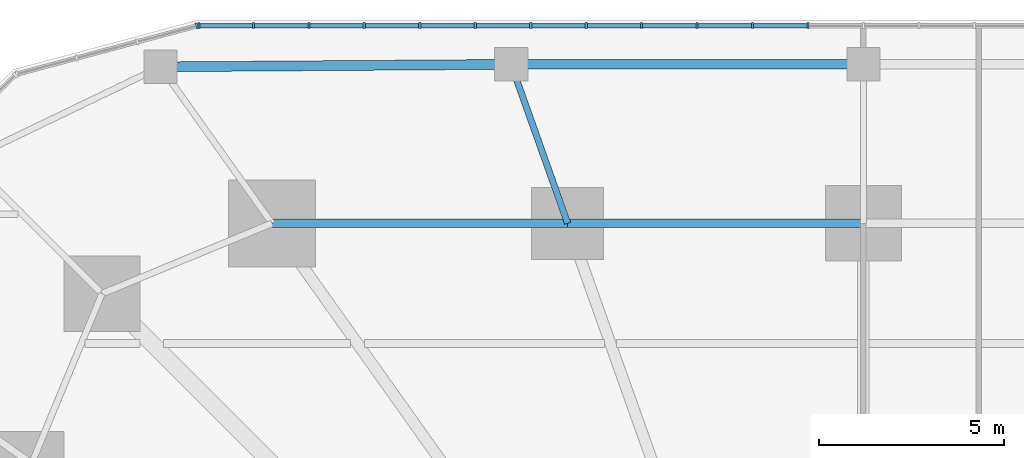
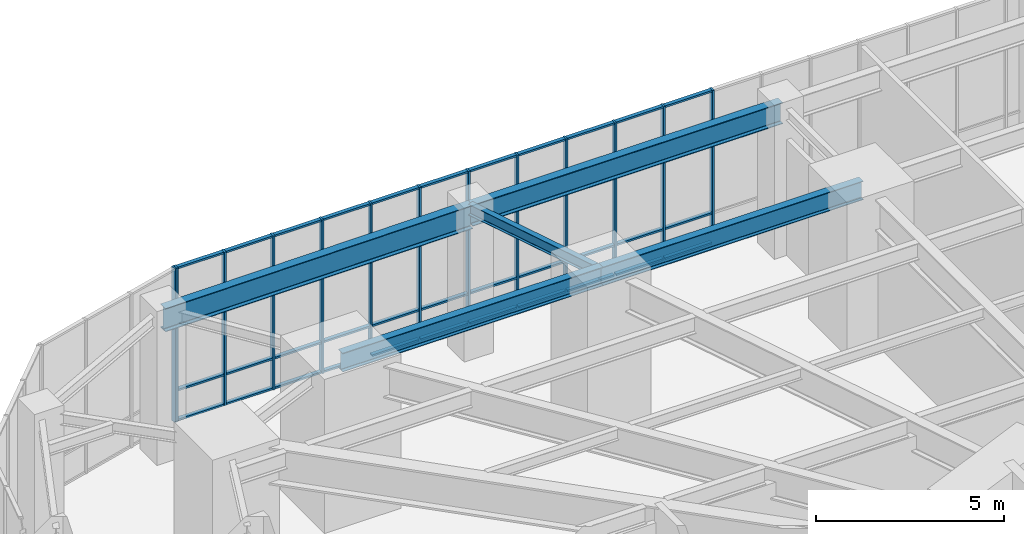
# One storey, part 12 of 24: 46 members, 5 beams, 2 elements without a shape of their own.
"""IFC4 building model written with IfcOpenShell, lengths in metres."""

from ifc_helpers import new_model, si_unit, direction, frame, origin, origin_2d, place, context, subcontext, project, spatial, rectangle, i_section, extrude, material, material_profile, profile_set, type_object, element, aggregate, save


model = new_model("IFC4")

# Units and contexts
model_context = context("Model", 3, precision=1e-05, world=origin(), true_north=direction((0.0, 1.0)))
body_context = subcontext(model_context, "Body", "Model", "MODEL_VIEW")
ifc_project = project(units=[si_unit("LENGTHUNIT", "METRE"), si_unit("AREAUNIT", "SQUARE_METRE"), si_unit("VOLUMEUNIT", "CUBIC_METRE"), si_unit("PLANEANGLEUNIT", "RADIAN"), si_unit("MASSUNIT", "GRAM", prefix="KILO")], contexts=[model_context])

# Site, building, storey
site_placement = place(None, origin())
site = spatial("IfcSite", under=ifc_project, at=site_placement, CompositionType="ELEMENT")
building_placement = place(site_placement, origin())
building = spatial("IfcBuilding", under=site, at=building_placement, Name="Nakasero Lantern House", CompositionType="ELEMENT")
storey_placement = place(building_placement, frame((0.0, 0.0, 11.0)))
storey = spatial("IfcBuildingStorey", under=building, at=storey_placement, Name="L02", CompositionType="ELEMENT", Elevation=11.0)

# Curtain wall, members
ifc_material_1 = material(Name="Aluminium 6063-T6 and glass", Category="aluminium")
curtain_wall_type = type_object("IfcCurtainWallType", Name="Podium curtain wall CW-2", PredefinedType="USERDEFINED", material=ifc_material_1)
curtain_wall_1_placement = place(storey_placement, origin())
curtain_wall_1 = element("IfcCurtainWall", 1, at=curtain_wall_1_placement, inside=storey, type_object=curtain_wall_type, Name="Curtain wall CW-2 L02", ObjectType="STICK CURTAIN WALL", PredefinedType="USERDEFINED")
ifc_material_2 = material(Name="Aluminium 6063-T6", Category="aluminium")
ifc_material_profile_1 = material_profile(ifc_material_2, rectangle(XDim=0.06005859375, YDim=0.159912109375, at=origin_2d()), Name="CW-2 mullion 60x160")
ifc_profile_set_1 = profile_set([ifc_material_profile_1], Name="Aluminium 6063-T6")
member_type_1 = type_object("IfcMemberType", Name="Mullion CW-2", PredefinedType="MULLION", material=ifc_profile_set_1)
member_1_placement = place(storey_placement, frame((-1.5, 27.85009765625, 0.0), z_axis=(0.0, 0.0, 1.0), x_axis=(-1.0, 0.0, 0.0)))
member_1 = element("IfcMember", 2, at=member_1_placement, type_object=member_type_1, Name="CW-2 mullion 14", PredefinedType="MULLION", context=body_context, shape_type="SweptSolid", body=[
    extrude(rectangle(XDim=0.06005859375, YDim=0.159912109375, at=origin_2d()), origin(), (0.0, 0.0, 1.0), 5.0),
])
member_2_placement = place(storey_placement, frame((-3.0, 27.85009765625, 0.0), z_axis=(0.0, 0.0, 1.0), x_axis=(-1.0, 0.0, 0.0)))
member_2 = element("IfcMember", 3, at=member_2_placement, type_object=member_type_1, Name="CW-2 mullion 15", PredefinedType="MULLION", context=body_context, shape_type="SweptSolid", body=[
    extrude(rectangle(XDim=0.06005859375, YDim=0.159912109375, at=origin_2d()), origin(), (0.0, 0.0, 1.0), 5.0),
])
member_3_placement = place(storey_placement, frame((-4.5, 27.85009765625, 0.0), z_axis=(0.0, 0.0, 1.0), x_axis=(-1.0, 0.0, 0.0)))
member_3 = element("IfcMember", 4, at=member_3_placement, type_object=member_type_1, Name="CW-2 mullion 16", PredefinedType="MULLION", context=body_context, shape_type="SweptSolid", body=[
    extrude(rectangle(XDim=0.06005859375, YDim=0.159912109375, at=origin_2d()), origin(), (0.0, 0.0, 1.0), 5.0),
])
member_4_placement = place(storey_placement, frame((-6.0, 27.85009765625, 0.0), z_axis=(0.0, 0.0, 1.0), x_axis=(-1.0, 0.0, 0.0)))
member_4 = element("IfcMember", 5, at=member_4_placement, type_object=member_type_1, Name="CW-2 mullion 17", PredefinedType="MULLION", context=body_context, shape_type="SweptSolid", body=[
    extrude(rectangle(XDim=0.06005859375, YDim=0.159912109375, at=origin_2d()), origin(), (0.0, 0.0, 1.0), 5.0),
])
member_5_placement = place(storey_placement, frame((-7.5, 27.85009765625, 0.0), z_axis=(0.0, 0.0, 1.0), x_axis=(-1.0, 0.0, 0.0)))
member_5 = element("IfcMember", 6, at=member_5_placement, type_object=member_type_1, Name="CW-2 mullion 18", PredefinedType="MULLION", context=body_context, shape_type="SweptSolid", body=[
    extrude(rectangle(XDim=0.06005859375, YDim=0.159912109375, at=origin_2d()), origin(), (0.0, 0.0, 1.0), 5.0),
])
member_6_placement = place(storey_placement, frame((-9.0, 27.85009765625, 0.0), z_axis=(0.0, 0.0, 1.0), x_axis=(-1.0, 0.0, 0.0)))
member_6 = element("IfcMember", 7, at=member_6_placement, type_object=member_type_1, Name="CW-2 mullion 19", PredefinedType="MULLION", context=body_context, shape_type="SweptSolid", body=[
    extrude(rectangle(XDim=0.06005859375, YDim=0.159912109375, at=origin_2d()), origin(), (0.0, 0.0, 1.0), 5.0),
])
member_7_placement = place(storey_placement, frame((-10.5, 27.85009765625, 0.0), z_axis=(0.0, 0.0, 1.0), x_axis=(-1.0, 0.0, 0.0)))
member_7 = element("IfcMember", 8, at=member_7_placement, type_object=member_type_1, Name="CW-2 mullion 20", PredefinedType="MULLION", context=body_context, shape_type="SweptSolid", body=[
    extrude(rectangle(XDim=0.06005859375, YDim=0.159912109375, at=origin_2d()), origin(), (0.0, 0.0, 1.0), 5.0),
])
member_8_placement = place(storey_placement, frame((-12.0, 27.85009765625, 0.0), z_axis=(0.0, 0.0, 1.0), x_axis=(-1.0, 0.0, 0.0)))
member_8 = element("IfcMember", 9, at=member_8_placement, type_object=member_type_1, Name="CW-2 mullion 21", PredefinedType="MULLION", context=body_context, shape_type="SweptSolid", body=[
    extrude(rectangle(XDim=0.06005859375, YDim=0.159912109375, at=origin_2d()), origin(), (0.0, 0.0, 1.0), 5.0),
])
member_9_placement = place(storey_placement, frame((-13.5, 27.85009765625, 0.0), z_axis=(0.0, 0.0, 1.0), x_axis=(-1.0, 0.0, 0.0)))
member_9 = element("IfcMember", 10, at=member_9_placement, type_object=member_type_1, Name="CW-2 mullion 22", PredefinedType="MULLION", context=body_context, shape_type="SweptSolid", body=[
    extrude(rectangle(XDim=0.06005859375, YDim=0.159912109375, at=origin_2d()), origin(), (0.0, 0.0, 1.0), 5.0),
])
member_10_placement = place(storey_placement, frame((-15.0, 27.85009765625, 0.0), z_axis=(0.0, 0.0, 1.0), x_axis=(-1.0, 0.0, 0.0)))
member_10 = element("IfcMember", 11, at=member_10_placement, type_object=member_type_1, Name="CW-2 mullion 23", PredefinedType="MULLION", context=body_context, shape_type="SweptSolid", body=[
    extrude(rectangle(XDim=0.06005859375, YDim=0.159912109375, at=origin_2d()), origin(), (0.0, 0.0, 1.0), 5.0),
])
member_11_placement = place(storey_placement, frame((-16.5, 27.85009765625, 0.0), z_axis=(0.0, 0.0, 1.0), x_axis=(-1.0, 0.0, 0.0)))
member_11 = element("IfcMember", 12, at=member_11_placement, type_object=member_type_1, Name="CW-2 mullion 24", PredefinedType="MULLION", context=body_context, shape_type="SweptSolid", body=[
    extrude(rectangle(XDim=0.06005859375, YDim=0.159912109375, at=origin_2d()), origin(), (0.0, 0.0, 1.0), 5.0),
])
member_12_placement = place(storey_placement, frame((-17.969970703125, 27.85009765625, 0.0), z_axis=(0.0, 0.0, 1.0), x_axis=(-1.0, 0.0, 0.0)))
member_12 = element("IfcMember", 13, at=member_12_placement, type_object=member_type_1, Name="CW-2 mullion 25", PredefinedType="MULLION", context=body_context, shape_type="SweptSolid", body=[
    extrude(rectangle(XDim=0.06005859375, YDim=0.159912109375, at=origin_2d()), origin(), (0.0, 0.0, 1.0), 5.0),
])

# Curtain wall, member
curtain_wall_2_placement = place(storey_placement, origin())
curtain_wall_2 = element("IfcCurtainWall", 14, at=curtain_wall_2_placement, inside=storey, type_object=curtain_wall_type, Name="Curtain wall CW-2 L02", ObjectType="STICK CURTAIN WALL", PredefinedType="USERDEFINED")
member_13_placement = place(storey_placement, frame((-18.029052734375, 27.84228515625, 0.0), z_axis=(0.0, 0.0, 1.0), x_axis=(-0.965925826289, -0.258819045103, 0.0)))
member_13 = element("IfcMember", 15, at=member_13_placement, type_object=member_type_1, Name="CW-2 mullion 1", PredefinedType="MULLION", context=body_context, shape_type="SweptSolid", body=[
    extrude(rectangle(XDim=0.06005859375, YDim=0.159912109375, at=origin_2d()), origin(), (0.0, 0.0, 1.0), 5.0),
])
aggregate(curtain_wall_2, [member_13])

# Beams
ifc_material_3 = material(Name="Steel S355", Category="steel")
ifc_material_profile_2 = material_profile(ifc_material_3, i_section(OverallWidth=0.17138671875, OverallDepth=0.35498046875, WebThickness=0.00732421875, FlangeThickness=0.011474609375, FilletRadius=0.01025390625, at=origin_2d()), Name="UB 356x171x51")
ifc_profile_set_2 = profile_set([ifc_material_profile_2], Name="Steel S355")
beam_type_1 = type_object("IfcBeamType", Name="Primary beam UB 356x171x51, span to 6 m", PredefinedType="BEAM", material=ifc_profile_set_2)
beam_1_placement = place(storey_placement, frame((-9.52880859375, 26.800048828125, 4.572509765625), z_axis=(0.334990670833, -0.942221444489, 0.0), x_axis=(0.942221444489, 0.334990670833, 0.0)))
element("IfcBeam", 16, at=beam_1_placement, inside=storey, type_object=beam_type_1, Name="Primary beam L03 POD-C10", PredefinedType="BEAM", context=body_context, shape_type="SweptSolid", body=[
    extrude(i_section(OverallWidth=0.17138671875, OverallDepth=0.35498046875, WebThickness=0.00732421875, FlangeThickness=0.011474609375, FilletRadius=0.01025390625, at=origin_2d()), origin(), (0.0, 0.0, 1.0), 4.563720703125),
])
ifc_material_4 = material(Name="Steel S355", Category="steel")
ifc_material_profile_3 = material_profile(ifc_material_4, i_section(OverallWidth=0.22900390625, OverallDepth=0.6123046875, WebThickness=0.011962890625, FlangeThickness=0.01953125, FilletRadius=0.0126953125, at=origin_2d()), Name="UB 610x229x125")
ifc_profile_set_3 = profile_set([ifc_material_profile_3], Name="Steel S355")
beam_type_2 = type_object("IfcBeamType", Name="Ring beam UB 610x229x125", PredefinedType="BEAM", material=ifc_profile_set_3)
for number, where, z_axis, x_axis, name in (
    (17, (0.0, 22.5, 4.493896484375), (-1.0, 0.0, 0.0), (0.0, -1.0, 0.0), "Ring beam L03 B1-C09"),
    (18, (-8.0, 22.5, 4.493896484375), (-1.0, 0.0, 0.0), (0.0, -1.0, 0.0), "Ring beam L03 B1-C10"),
):
    element("IfcBeam", number, at=place(storey_placement, frame(where, z_axis=z_axis, x_axis=x_axis)), inside=storey, type_object=beam_type_2, Name=name, PredefinedType="BEAM", context=body_context, shape_type="SweptSolid", body=[
        extrude(i_section(OverallWidth=0.22900390625, OverallDepth=0.6123046875, WebThickness=0.011962890625, FlangeThickness=0.01953125, FilletRadius=0.0126953125, at=origin_2d()), origin(), (0.0, 0.0, 1.0), 8.0),
    ])
ifc_material_5 = material(Name="Steel S355", Category="steel")
ifc_material_profile_4 = material_profile(ifc_material_5, i_section(OverallWidth=0.255859375, OverallDepth=0.69287109375, WebThickness=0.014404296875, FlangeThickness=0.023681640625, FilletRadius=0.01513671875, at=origin_2d()), Name="UB 686x254x170")
ifc_profile_set_4 = profile_set([ifc_material_profile_4], Name="Steel S355")
beam_type_3 = type_object("IfcBeamType", Name="Ring beam UB 686x254x170", PredefinedType="BEAM", material=ifc_profile_set_4)
beam_2_placement = place(storey_placement, frame((0.0, 26.800048828125, 4.403564453125), z_axis=(-1.0, 0.0, 0.0), x_axis=(0.0, -1.0, 0.0)))
element("IfcBeam", 19, at=beam_2_placement, inside=storey, type_object=beam_type_3, Name="Ring beam L03 POD-C09", PredefinedType="BEAM", context=body_context, shape_type="SweptSolid", body=[
    extrude(i_section(OverallWidth=0.255859375, OverallDepth=0.69287109375, WebThickness=0.014404296875, FlangeThickness=0.023681640625, FilletRadius=0.01513671875, at=origin_2d()), origin(), (0.0, 0.0, 1.0), 9.52880859375),
])
ifc_material_6 = material(Name="Steel S355", Category="steel")
ifc_material_profile_5 = material_profile(ifc_material_6, i_section(OverallWidth=0.2666015625, OverallDepth=0.76220703125, WebThickness=0.014404296875, FlangeThickness=0.021484375, FilletRadius=0.0166015625, at=origin_2d()), Name="UB 762x267x173")
ifc_profile_set_5 = profile_set([ifc_material_profile_5], Name="Steel S355")
beam_type_4 = type_object("IfcBeamType", Name="Ring beam UB 762x267x173", PredefinedType="BEAM", material=ifc_profile_set_5)
beam_3_placement = place(storey_placement, frame((-9.52880859375, 26.800048828125, 4.368896484375), z_axis=(-0.999975476745, -0.007003278482, 0.0), x_axis=(0.007003278482, -0.999975476745, 0.0)))
element("IfcBeam", 20, at=beam_3_placement, inside=storey, type_object=beam_type_4, Name="Ring beam L03 POD-C10", PredefinedType="BEAM", context=body_context, shape_type="SweptSolid", body=[
    extrude(i_section(OverallWidth=0.2666015625, OverallDepth=0.76220703125, WebThickness=0.014404296875, FlangeThickness=0.021484375, FilletRadius=0.0166015625, at=origin_2d()), origin(), (0.0, 0.0, 1.0), 9.482177734375),
])

# Member
ifc_material_7 = material(Name="Aluminium 6063-T6", Category="aluminium")
ifc_material_profile_6 = material_profile(ifc_material_7, rectangle(XDim=0.06005859375, YDim=0.1201171875, at=origin_2d()), Name="CW-2 transom 60x120")
ifc_profile_set_6 = profile_set([ifc_material_profile_6], Name="Aluminium 6063-T6")
member_type_2 = type_object("IfcMemberType", Name="Transom CW-2", PredefinedType="USERDEFINED", material=ifc_profile_set_6)
member_14_placement = place(storey_placement, frame((-1.530029296875, 27.85009765625, 0.030029296875), z_axis=(-1.0, 0.0, 0.0), x_axis=(0.0, 0.0, 1.0)))
member_14 = element("IfcMember", 21, at=member_14_placement, type_object=member_type_2, Name="CW-2 transom 14.1", ObjectType="TRANSOM", PredefinedType="USERDEFINED", context=body_context, shape_type="SweptSolid", body=[
    extrude(rectangle(XDim=0.06005859375, YDim=0.1201171875, at=origin_2d()), origin(), (0.0, 0.0, 1.0), 1.43994140625),
])

member_15_placement = place(storey_placement, frame((-1.530029296875, 27.85009765625, 1.0), z_axis=(-1.0, 0.0, 0.0), x_axis=(0.0, 0.0, 1.0)))
member_15 = element("IfcMember", 22, at=member_15_placement, type_object=member_type_2, Name="CW-2 transom 14.2", ObjectType="TRANSOM", PredefinedType="USERDEFINED", context=body_context, shape_type="SweptSolid", body=[
    extrude(rectangle(XDim=0.06005859375, YDim=0.1201171875, at=origin_2d()), origin(), (0.0, 0.0, 1.0), 1.43994140625),
])

member_16_placement = place(storey_placement, frame((-1.530029296875, 27.85009765625, 4.969970703125), z_axis=(-1.0, 0.0, 0.0), x_axis=(0.0, 0.0, 1.0)))
member_16 = element("IfcMember", 23, at=member_16_placement, type_object=member_type_2, Name="CW-2 transom 14.3", ObjectType="TRANSOM", PredefinedType="USERDEFINED", context=body_context, shape_type="SweptSolid", body=[
    extrude(rectangle(XDim=0.06005859375, YDim=0.1201171875, at=origin_2d()), origin(), (0.0, 0.0, 1.0), 1.43994140625),
])

member_17_placement = place(storey_placement, frame((-3.030029296875, 27.85009765625, 0.030029296875), z_axis=(-1.0, 0.0, 0.0), x_axis=(0.0, 0.0, 1.0)))
member_17 = element("IfcMember", 24, at=member_17_placement, type_object=member_type_2, Name="CW-2 transom 15.1", ObjectType="TRANSOM", PredefinedType="USERDEFINED", context=body_context, shape_type="SweptSolid", body=[
    extrude(rectangle(XDim=0.06005859375, YDim=0.1201171875, at=origin_2d()), origin(), (0.0, 0.0, 1.0), 1.43994140625),
])

member_18_placement = place(storey_placement, frame((-3.030029296875, 27.85009765625, 1.0), z_axis=(-1.0, 0.0, 0.0), x_axis=(0.0, 0.0, 1.0)))
member_18 = element("IfcMember", 25, at=member_18_placement, type_object=member_type_2, Name="CW-2 transom 15.2", ObjectType="TRANSOM", PredefinedType="USERDEFINED", context=body_context, shape_type="SweptSolid", body=[
    extrude(rectangle(XDim=0.06005859375, YDim=0.1201171875, at=origin_2d()), origin(), (0.0, 0.0, 1.0), 1.43994140625),
])

member_19_placement = place(storey_placement, frame((-3.030029296875, 27.85009765625, 4.969970703125), z_axis=(-1.0, 0.0, 0.0), x_axis=(0.0, 0.0, 1.0)))
member_19 = element("IfcMember", 26, at=member_19_placement, type_object=member_type_2, Name="CW-2 transom 15.3", ObjectType="TRANSOM", PredefinedType="USERDEFINED", context=body_context, shape_type="SweptSolid", body=[
    extrude(rectangle(XDim=0.06005859375, YDim=0.1201171875, at=origin_2d()), origin(), (0.0, 0.0, 1.0), 1.43994140625),
])

member_20_placement = place(storey_placement, frame((-4.530029296875, 27.85009765625, 0.030029296875), z_axis=(-1.0, 0.0, 0.0), x_axis=(0.0, 0.0, 1.0)))
member_20 = element("IfcMember", 27, at=member_20_placement, type_object=member_type_2, Name="CW-2 transom 16.1", ObjectType="TRANSOM", PredefinedType="USERDEFINED", context=body_context, shape_type="SweptSolid", body=[
    extrude(rectangle(XDim=0.06005859375, YDim=0.1201171875, at=origin_2d()), origin(), (0.0, 0.0, 1.0), 1.43994140625),
])

member_21_placement = place(storey_placement, frame((-4.530029296875, 27.85009765625, 1.0), z_axis=(-1.0, 0.0, 0.0), x_axis=(0.0, 0.0, 1.0)))
member_21 = element("IfcMember", 28, at=member_21_placement, type_object=member_type_2, Name="CW-2 transom 16.2", ObjectType="TRANSOM", PredefinedType="USERDEFINED", context=body_context, shape_type="SweptSolid", body=[
    extrude(rectangle(XDim=0.06005859375, YDim=0.1201171875, at=origin_2d()), origin(), (0.0, 0.0, 1.0), 1.43994140625),
])

member_22_placement = place(storey_placement, frame((-4.530029296875, 27.85009765625, 4.969970703125), z_axis=(-1.0, 0.0, 0.0), x_axis=(0.0, 0.0, 1.0)))
member_22 = element("IfcMember", 29, at=member_22_placement, type_object=member_type_2, Name="CW-2 transom 16.3", ObjectType="TRANSOM", PredefinedType="USERDEFINED", context=body_context, shape_type="SweptSolid", body=[
    extrude(rectangle(XDim=0.06005859375, YDim=0.1201171875, at=origin_2d()), origin(), (0.0, 0.0, 1.0), 1.43994140625),
])

member_23_placement = place(storey_placement, frame((-6.030029296875, 27.85009765625, 0.030029296875), z_axis=(-1.0, 0.0, 0.0), x_axis=(0.0, 0.0, 1.0)))
member_23 = element("IfcMember", 30, at=member_23_placement, type_object=member_type_2, Name="CW-2 transom 17.1", ObjectType="TRANSOM", PredefinedType="USERDEFINED", context=body_context, shape_type="SweptSolid", body=[
    extrude(rectangle(XDim=0.06005859375, YDim=0.1201171875, at=origin_2d()), origin(), (0.0, 0.0, 1.0), 1.43994140625),
])

member_24_placement = place(storey_placement, frame((-6.030029296875, 27.85009765625, 1.0), z_axis=(-1.0, 0.0, 0.0), x_axis=(0.0, 0.0, 1.0)))
member_24 = element("IfcMember", 31, at=member_24_placement, type_object=member_type_2, Name="CW-2 transom 17.2", ObjectType="TRANSOM", PredefinedType="USERDEFINED", context=body_context, shape_type="SweptSolid", body=[
    extrude(rectangle(XDim=0.06005859375, YDim=0.1201171875, at=origin_2d()), origin(), (0.0, 0.0, 1.0), 1.43994140625),
])

member_25_placement = place(storey_placement, frame((-6.030029296875, 27.85009765625, 4.969970703125), z_axis=(-1.0, 0.0, 0.0), x_axis=(0.0, 0.0, 1.0)))
member_25 = element("IfcMember", 32, at=member_25_placement, type_object=member_type_2, Name="CW-2 transom 17.3", ObjectType="TRANSOM", PredefinedType="USERDEFINED", context=body_context, shape_type="SweptSolid", body=[
    extrude(rectangle(XDim=0.06005859375, YDim=0.1201171875, at=origin_2d()), origin(), (0.0, 0.0, 1.0), 1.43994140625),
])

member_26_placement = place(storey_placement, frame((-7.530029296875, 27.85009765625, 0.030029296875), z_axis=(-1.0, 0.0, 0.0), x_axis=(0.0, 0.0, 1.0)))
member_26 = element("IfcMember", 33, at=member_26_placement, type_object=member_type_2, Name="CW-2 transom 18.1", ObjectType="TRANSOM", PredefinedType="USERDEFINED", context=body_context, shape_type="SweptSolid", body=[
    extrude(rectangle(XDim=0.06005859375, YDim=0.1201171875, at=origin_2d()), origin(), (0.0, 0.0, 1.0), 1.43994140625),
])

member_27_placement = place(storey_placement, frame((-7.530029296875, 27.85009765625, 1.0), z_axis=(-1.0, 0.0, 0.0), x_axis=(0.0, 0.0, 1.0)))
member_27 = element("IfcMember", 34, at=member_27_placement, type_object=member_type_2, Name="CW-2 transom 18.2", ObjectType="TRANSOM", PredefinedType="USERDEFINED", context=body_context, shape_type="SweptSolid", body=[
    extrude(rectangle(XDim=0.06005859375, YDim=0.1201171875, at=origin_2d()), origin(), (0.0, 0.0, 1.0), 1.43994140625),
])

member_28_placement = place(storey_placement, frame((-7.530029296875, 27.85009765625, 4.969970703125), z_axis=(-1.0, 0.0, 0.0), x_axis=(0.0, 0.0, 1.0)))
member_28 = element("IfcMember", 35, at=member_28_placement, type_object=member_type_2, Name="CW-2 transom 18.3", ObjectType="TRANSOM", PredefinedType="USERDEFINED", context=body_context, shape_type="SweptSolid", body=[
    extrude(rectangle(XDim=0.06005859375, YDim=0.1201171875, at=origin_2d()), origin(), (0.0, 0.0, 1.0), 1.43994140625),
])

member_29_placement = place(storey_placement, frame((-9.030029296875, 27.85009765625, 0.030029296875), z_axis=(-1.0, 0.0, 0.0), x_axis=(0.0, 0.0, 1.0)))
member_29 = element("IfcMember", 36, at=member_29_placement, type_object=member_type_2, Name="CW-2 transom 19.1", ObjectType="TRANSOM", PredefinedType="USERDEFINED", context=body_context, shape_type="SweptSolid", body=[
    extrude(rectangle(XDim=0.06005859375, YDim=0.1201171875, at=origin_2d()), origin(), (0.0, 0.0, 1.0), 1.43994140625),
])

member_30_placement = place(storey_placement, frame((-9.030029296875, 27.85009765625, 1.0), z_axis=(-1.0, 0.0, 0.0), x_axis=(0.0, 0.0, 1.0)))
member_30 = element("IfcMember", 37, at=member_30_placement, type_object=member_type_2, Name="CW-2 transom 19.2", ObjectType="TRANSOM", PredefinedType="USERDEFINED", context=body_context, shape_type="SweptSolid", body=[
    extrude(rectangle(XDim=0.06005859375, YDim=0.1201171875, at=origin_2d()), origin(), (0.0, 0.0, 1.0), 1.43994140625),
])

member_31_placement = place(storey_placement, frame((-9.030029296875, 27.85009765625, 4.969970703125), z_axis=(-1.0, 0.0, 0.0), x_axis=(0.0, 0.0, 1.0)))
member_31 = element("IfcMember", 38, at=member_31_placement, type_object=member_type_2, Name="CW-2 transom 19.3", ObjectType="TRANSOM", PredefinedType="USERDEFINED", context=body_context, shape_type="SweptSolid", body=[
    extrude(rectangle(XDim=0.06005859375, YDim=0.1201171875, at=origin_2d()), origin(), (0.0, 0.0, 1.0), 1.43994140625),
])

member_32_placement = place(storey_placement, frame((-10.530029296875, 27.85009765625, 0.030029296875), z_axis=(-1.0, 0.0, 0.0), x_axis=(0.0, 0.0, 1.0)))
member_32 = element("IfcMember", 39, at=member_32_placement, type_object=member_type_2, Name="CW-2 transom 20.1", ObjectType="TRANSOM", PredefinedType="USERDEFINED", context=body_context, shape_type="SweptSolid", body=[
    extrude(rectangle(XDim=0.06005859375, YDim=0.1201171875, at=origin_2d()), origin(), (0.0, 0.0, 1.0), 1.43994140625),
])

member_33_placement = place(storey_placement, frame((-10.530029296875, 27.85009765625, 1.0), z_axis=(-1.0, 0.0, 0.0), x_axis=(0.0, 0.0, 1.0)))
member_33 = element("IfcMember", 40, at=member_33_placement, type_object=member_type_2, Name="CW-2 transom 20.2", ObjectType="TRANSOM", PredefinedType="USERDEFINED", context=body_context, shape_type="SweptSolid", body=[
    extrude(rectangle(XDim=0.06005859375, YDim=0.1201171875, at=origin_2d()), origin(), (0.0, 0.0, 1.0), 1.43994140625),
])

member_34_placement = place(storey_placement, frame((-10.530029296875, 27.85009765625, 4.969970703125), z_axis=(-1.0, 0.0, 0.0), x_axis=(0.0, 0.0, 1.0)))
member_34 = element("IfcMember", 41, at=member_34_placement, type_object=member_type_2, Name="CW-2 transom 20.3", ObjectType="TRANSOM", PredefinedType="USERDEFINED", context=body_context, shape_type="SweptSolid", body=[
    extrude(rectangle(XDim=0.06005859375, YDim=0.1201171875, at=origin_2d()), origin(), (0.0, 0.0, 1.0), 1.43994140625),
])

member_35_placement = place(storey_placement, frame((-12.030029296875, 27.85009765625, 0.030029296875), z_axis=(-1.0, 0.0, 0.0), x_axis=(0.0, 0.0, 1.0)))
member_35 = element("IfcMember", 42, at=member_35_placement, type_object=member_type_2, Name="CW-2 transom 21.1", ObjectType="TRANSOM", PredefinedType="USERDEFINED", context=body_context, shape_type="SweptSolid", body=[
    extrude(rectangle(XDim=0.06005859375, YDim=0.1201171875, at=origin_2d()), origin(), (0.0, 0.0, 1.0), 1.43994140625),
])

member_36_placement = place(storey_placement, frame((-12.030029296875, 27.85009765625, 1.0), z_axis=(-1.0, 0.0, 0.0), x_axis=(0.0, 0.0, 1.0)))
member_36 = element("IfcMember", 43, at=member_36_placement, type_object=member_type_2, Name="CW-2 transom 21.2", ObjectType="TRANSOM", PredefinedType="USERDEFINED", context=body_context, shape_type="SweptSolid", body=[
    extrude(rectangle(XDim=0.06005859375, YDim=0.1201171875, at=origin_2d()), origin(), (0.0, 0.0, 1.0), 1.43994140625),
])

member_37_placement = place(storey_placement, frame((-12.030029296875, 27.85009765625, 4.969970703125), z_axis=(-1.0, 0.0, 0.0), x_axis=(0.0, 0.0, 1.0)))
member_37 = element("IfcMember", 44, at=member_37_placement, type_object=member_type_2, Name="CW-2 transom 21.3", ObjectType="TRANSOM", PredefinedType="USERDEFINED", context=body_context, shape_type="SweptSolid", body=[
    extrude(rectangle(XDim=0.06005859375, YDim=0.1201171875, at=origin_2d()), origin(), (0.0, 0.0, 1.0), 1.43994140625),
])

member_38_placement = place(storey_placement, frame((-13.530029296875, 27.85009765625, 0.030029296875), z_axis=(-1.0, 0.0, 0.0), x_axis=(0.0, 0.0, 1.0)))
member_38 = element("IfcMember", 45, at=member_38_placement, type_object=member_type_2, Name="CW-2 transom 22.1", ObjectType="TRANSOM", PredefinedType="USERDEFINED", context=body_context, shape_type="SweptSolid", body=[
    extrude(rectangle(XDim=0.06005859375, YDim=0.1201171875, at=origin_2d()), origin(), (0.0, 0.0, 1.0), 1.43994140625),
])

member_39_placement = place(storey_placement, frame((-13.530029296875, 27.85009765625, 1.0), z_axis=(-1.0, 0.0, 0.0), x_axis=(0.0, 0.0, 1.0)))
member_39 = element("IfcMember", 46, at=member_39_placement, type_object=member_type_2, Name="CW-2 transom 22.2", ObjectType="TRANSOM", PredefinedType="USERDEFINED", context=body_context, shape_type="SweptSolid", body=[
    extrude(rectangle(XDim=0.06005859375, YDim=0.1201171875, at=origin_2d()), origin(), (0.0, 0.0, 1.0), 1.43994140625),
])

member_40_placement = place(storey_placement, frame((-13.530029296875, 27.85009765625, 4.969970703125), z_axis=(-1.0, 0.0, 0.0), x_axis=(0.0, 0.0, 1.0)))
member_40 = element("IfcMember", 47, at=member_40_placement, type_object=member_type_2, Name="CW-2 transom 22.3", ObjectType="TRANSOM", PredefinedType="USERDEFINED", context=body_context, shape_type="SweptSolid", body=[
    extrude(rectangle(XDim=0.06005859375, YDim=0.1201171875, at=origin_2d()), origin(), (0.0, 0.0, 1.0), 1.43994140625),
])

member_41_placement = place(storey_placement, frame((-15.030029296875, 27.85009765625, 0.030029296875), z_axis=(-1.0, 0.0, 0.0), x_axis=(0.0, 0.0, 1.0)))
member_41 = element("IfcMember", 48, at=member_41_placement, type_object=member_type_2, Name="CW-2 transom 23.1", ObjectType="TRANSOM", PredefinedType="USERDEFINED", context=body_context, shape_type="SweptSolid", body=[
    extrude(rectangle(XDim=0.06005859375, YDim=0.1201171875, at=origin_2d()), origin(), (0.0, 0.0, 1.0), 1.43994140625),
])

member_42_placement = place(storey_placement, frame((-15.030029296875, 27.85009765625, 1.0), z_axis=(-1.0, 0.0, 0.0), x_axis=(0.0, 0.0, 1.0)))
member_42 = element("IfcMember", 49, at=member_42_placement, type_object=member_type_2, Name="CW-2 transom 23.2", ObjectType="TRANSOM", PredefinedType="USERDEFINED", context=body_context, shape_type="SweptSolid", body=[
    extrude(rectangle(XDim=0.06005859375, YDim=0.1201171875, at=origin_2d()), origin(), (0.0, 0.0, 1.0), 1.43994140625),
])

member_43_placement = place(storey_placement, frame((-15.030029296875, 27.85009765625, 4.969970703125), z_axis=(-1.0, 0.0, 0.0), x_axis=(0.0, 0.0, 1.0)))
member_43 = element("IfcMember", 50, at=member_43_placement, type_object=member_type_2, Name="CW-2 transom 23.3", ObjectType="TRANSOM", PredefinedType="USERDEFINED", context=body_context, shape_type="SweptSolid", body=[
    extrude(rectangle(XDim=0.06005859375, YDim=0.1201171875, at=origin_2d()), origin(), (0.0, 0.0, 1.0), 1.43994140625),
])

member_44_placement = place(storey_placement, frame((-16.530029296875, 27.85009765625, 0.030029296875), z_axis=(-1.0, 0.0, 0.0), x_axis=(0.0, 0.0, 1.0)))
member_44 = element("IfcMember", 51, at=member_44_placement, type_object=member_type_2, Name="CW-2 transom 24.1", ObjectType="TRANSOM", PredefinedType="USERDEFINED", context=body_context, shape_type="SweptSolid", body=[
    extrude(rectangle(XDim=0.06005859375, YDim=0.1201171875, at=origin_2d()), origin(), (0.0, 0.0, 1.0), 1.409912109375),
])

member_45_placement = place(storey_placement, frame((-16.530029296875, 27.85009765625, 1.0), z_axis=(-1.0, 0.0, 0.0), x_axis=(0.0, 0.0, 1.0)))
member_45 = element("IfcMember", 52, at=member_45_placement, type_object=member_type_2, Name="CW-2 transom 24.2", ObjectType="TRANSOM", PredefinedType="USERDEFINED", context=body_context, shape_type="SweptSolid", body=[
    extrude(rectangle(XDim=0.06005859375, YDim=0.1201171875, at=origin_2d()), origin(), (0.0, 0.0, 1.0), 1.409912109375),
])

member_46_placement = place(storey_placement, frame((-16.530029296875, 27.85009765625, 4.969970703125), z_axis=(-1.0, 0.0, 0.0), x_axis=(0.0, 0.0, 1.0)))
member_46 = element("IfcMember", 53, at=member_46_placement, type_object=member_type_2, Name="CW-2 transom 24.3", ObjectType="TRANSOM", PredefinedType="USERDEFINED", context=body_context, shape_type="SweptSolid", body=[
    extrude(rectangle(XDim=0.06005859375, YDim=0.1201171875, at=origin_2d()), origin(), (0.0, 0.0, 1.0), 1.409912109375),
])

aggregate(curtain_wall_1, [member_1, member_2, member_3, member_4, member_5, member_6, member_7, member_8, member_9, member_10, member_11, member_12, member_14, member_15, member_16, member_17, member_18, member_19, member_20, member_21, member_22, member_23, member_24, member_25, member_26, member_27, member_28, member_29, member_30, member_31, member_32, member_33, member_34, member_35, member_36, member_37, member_38, member_39, member_40, member_41, member_42, member_43, member_44, member_45, member_46])

save(model, "model.ifc")
